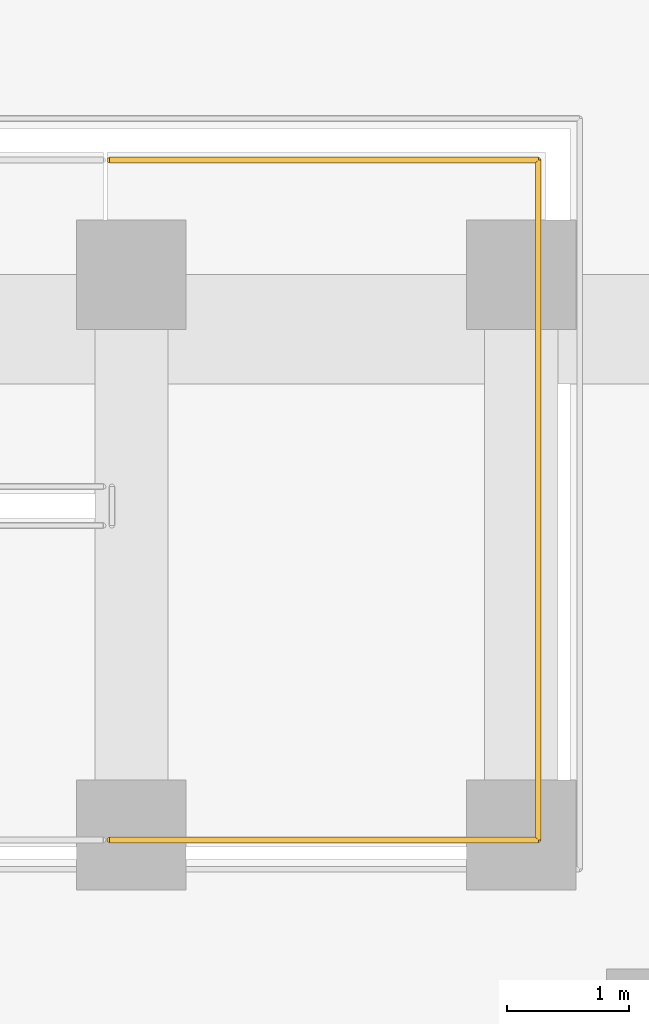
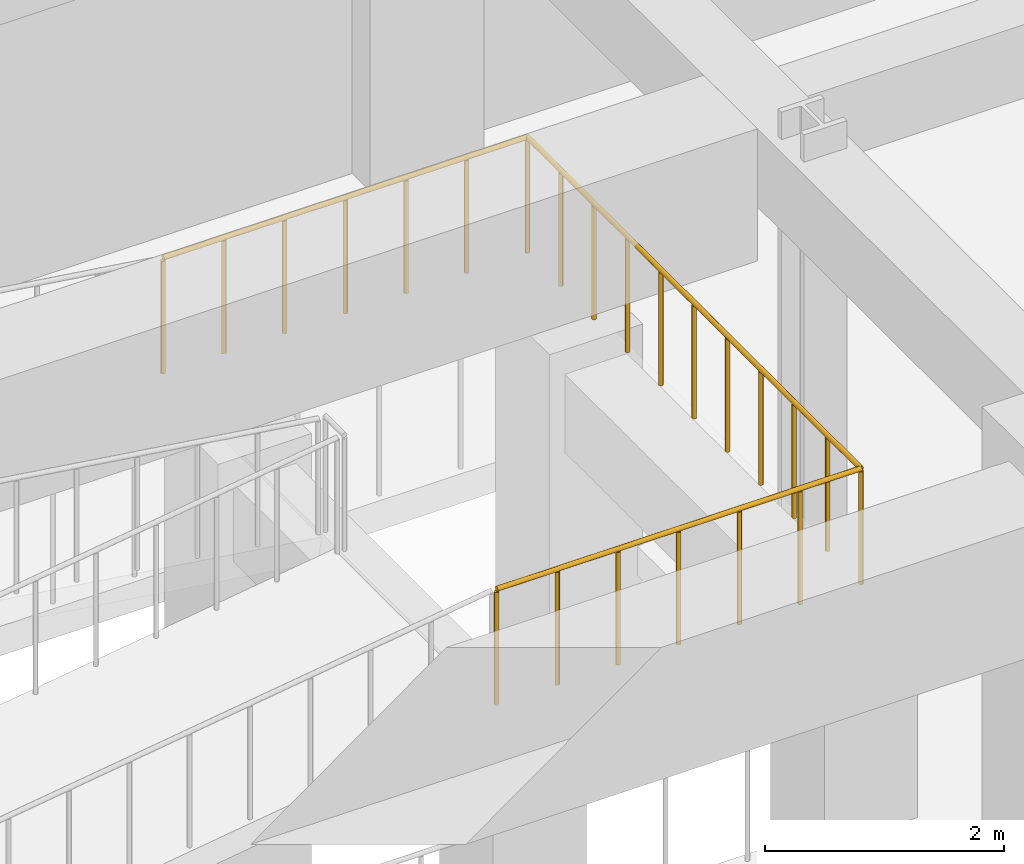
# One storey, part 15 of 16: 1 railing.
"""IFC4 building model written with IfcOpenShell, lengths in metres."""

import ifcopenshell
import ifcopenshell.guid

model = None  # the IFC model being written
_history = None  # IfcOwnerHistory: only IFC2X3 demands one
_inside = {}  # id of a spatial element -> (the spatial element, [elements in it])
_under = {}  # id of a project, library or spatial element -> (it, [spatial elements below it])
_declared = {}  # id of a project -> (the project, [libraries it declares])
_typed = {}  # id of a type object -> (the type object, [elements of that type])
_made_of = {}  # id of a material, layer set ... -> (it, [elements and type objects made of it])


def new_model(schema):
    """Start an empty IFC model of exactly this schema.

    Asked for "IFC4X3", IfcOpenShell would pick the latest addendum, in which some entities
    have other attributes; the version numbers below select the first issue.
    IFC2X3 requires an IfcOwnerHistory on every rooted entity: one is made here for all.
    """
    global model, _history
    if schema == "IFC4X3":
        model = ifcopenshell.file(schema_version=(4, 3, 0, 0))
    else:
        model = ifcopenshell.file(schema=schema)
    _inside.clear()
    _under.clear()
    _declared.clear()
    _typed.clear()
    _made_of.clear()
    _history = None
    if model.schema == "IFC2X3":
        org = make("IfcOrganization", Name="unknown")
        user = make(
            "IfcPersonAndOrganization",
            ThePerson=make("IfcPerson", FamilyName="unknown"),
            TheOrganization=org,
        )
        app = make(
            "IfcApplication",
            ApplicationDeveloper=org,
            Version="unknown",
            ApplicationFullName="unknown",
            ApplicationIdentifier="unknown",
        )
        _history = make(
            "IfcOwnerHistory",
            OwningUser=user,
            OwningApplication=app,
            ChangeAction="ADDED",
            CreationDate=0,
        )
    return model


def make(cls, **values):
    """One entity of the class cls with the attributes given. An attribute that is None is left unset."""
    return model.create_entity(
        cls, **{name: value for name, value in values.items() if value is not None}
    )


def rooted(cls, **values):
    """An entity with a GlobalId (a new one), such as an element, a storey or a relation."""
    return make(cls, GlobalId=ifcopenshell.guid.new(), OwnerHistory=_history, **values)


def si_unit(unit_type, name, prefix=None):
    """IfcSIUnit, for example si_unit("LENGTHUNIT", "METRE", prefix="MILLI")."""
    return make("IfcSIUnit", UnitType=unit_type, Prefix=prefix, Name=name)


def assignment(units):
    """IfcUnitAssignment: the units of a project."""
    return None if units is None else make("IfcUnitAssignment", Units=units)


def point(xyz):
    """IfcCartesianPoint."""
    return None if xyz is None else make("IfcCartesianPoint", Coordinates=xyz)


def direction(xyz):
    """IfcDirection."""
    return None if xyz is None else make("IfcDirection", DirectionRatios=xyz)


def frame(location, z_axis=None, x_axis=None):
    """IfcAxis2Placement3D, a coordinate frame: its origin and axes. An axis left out is left unset."""
    return make(
        "IfcAxis2Placement3D",
        Location=point(location),
        Axis=direction(z_axis),
        RefDirection=direction(x_axis),
    )


def frame_2d(location, x_axis=None):
    """IfcAxis2Placement2D, a coordinate frame in the plane: its origin and x axis."""
    return make(
        "IfcAxis2Placement2D", Location=point(location), RefDirection=direction(x_axis)
    )


def origin():
    """The frame at (0, 0, 0) with its axes left unset."""
    return frame((0.0, 0.0, 0.0))


def origin_2d():
    """The frame at (0, 0) in the plane with its x axis left unset."""
    return frame_2d((0.0, 0.0))


def place(relative_to, where):
    """IfcLocalPlacement: puts the frame where relative to a parent placement (None: the world)."""
    return make(
        "IfcLocalPlacement", PlacementRelTo=relative_to, RelativePlacement=where
    )


def context(
    kind, dimensions, precision=None, world=None, true_north=None, identifier=None
):
    """IfcGeometricRepresentationContext, for example the 3D "Model" context."""
    return make(
        "IfcGeometricRepresentationContext",
        ContextIdentifier=identifier,
        ContextType=kind,
        CoordinateSpaceDimension=dimensions,
        Precision=precision,
        WorldCoordinateSystem=world,
        TrueNorth=true_north,
    )


def subcontext(parent, identifier, kind, view, scale=None):
    """IfcGeometricRepresentationSubContext, for example "Body" below "Model"."""
    return make(
        "IfcGeometricRepresentationSubContext",
        ContextIdentifier=identifier,
        ContextType=kind,
        ParentContext=parent,
        TargetScale=scale,
        TargetView=view,
    )


def project(units=None, contexts=None):
    """IfcProject with its units and contexts."""
    return rooted(
        "IfcProject",
        Name="project",
        RepresentationContexts=contexts,
        UnitsInContext=assignment(units),
    )


def spatial(cls, under=None, at=None, **own):
    """A site, building, storey or space (cls), placed at a placement, below another one or the project."""
    s = rooted(cls, ObjectPlacement=at, **own)
    if under is not None:
        _under.setdefault(under.id(), (under, []))[1].append(s)
    return s


def profile(cls, at=None, kind="AREA", **sizes):
    """A parametric profile (cls). Its sizes go by their IFC names, for example OverallWidth=200.0."""
    return make(cls, ProfileType=kind, Position=at, **sizes)


def circle(**sizes):
    """IfcCircleProfileDef."""
    return profile("IfcCircleProfileDef", **sizes)


def extrude(swept, where, along, depth):
    """IfcExtrudedAreaSolid: the profile swept, set in the frame where, extruded along a direction by depth."""
    return make(
        "IfcExtrudedAreaSolid",
        SweptArea=swept,
        Position=where,
        ExtrudedDirection=direction(along),
        Depth=depth,
    )


def shape(context_of_items, identifier, shape_type, items):
    """IfcShapeRepresentation: the items that make up one representation, for example the "Body"."""
    return make(
        "IfcShapeRepresentation",
        ContextOfItems=context_of_items,
        RepresentationIdentifier=identifier,
        RepresentationType=shape_type,
        Items=items,
    )


def material(Name=None, Category=None):
    """IfcMaterial."""
    return make("IfcMaterial", Name=Name, Category=Category)


def made_of(thing, what):
    """Note that an element or type object is made of a material, layer set ...; save() writes the relation."""
    if what is not None:
        _made_of.setdefault(what.id(), (what, []))[1].append(thing)
    return thing


def type_object(cls, material=None, **own):
    """A type object (cls), such as IfcWallType, which elements share."""
    return made_of(rooted(cls, **own), material)


def element(
    cls,
    number,
    at=None,
    inside=None,
    cuts=None,
    type_object=None,
    material=None,
    context=None,
    identifier="Body",
    shape_type=None,
    held_by="IfcProductDefinitionShape",
    body=None,
    shapes=None,
    **own,
):
    """One element of the class cls, such as IfcWall. Its Tag is "e" and its number.

    at: its placement. inside: the storey or other place that contains it. cuts: it is an
    opening in that element (IfcRelVoidsElement). A single representation is given by context,
    identifier, shape_type and body (its items); several are given by shapes. held_by: the class
    of the entity that holds the representations. save() writes the other relations.
    """
    e = rooted(cls, Tag="e%d" % number, ObjectPlacement=at, **own)
    if body is not None:
        shapes = [shape(context, identifier, shape_type, body)]
    if shapes is not None:
        e.Representation = make(held_by, Representations=shapes)
    if inside is not None:
        _inside.setdefault(inside.id(), (inside, []))[1].append(e)
    if cuts is not None:
        rooted(
            "IfcRelVoidsElement", RelatingBuildingElement=cuts, RelatedOpeningElement=e
        )
    if type_object is not None:
        _typed.setdefault(type_object.id(), (type_object, []))[1].append(e)
    return made_of(e, material)


def aggregate(whole, parts):
    """IfcRelAggregates: a whole, such as a stair, and the parts it consists of."""
    return rooted("IfcRelAggregates", RelatingObject=whole, RelatedObjects=parts)


def save(model, path):
    """Write the relations noted so far, then the file.

    IfcRelAggregates (storeys below a building ...), IfcRelContainedInSpatialStructure (elements
    in a storey), IfcRelDefinesByType, IfcRelAssociatesMaterial and IfcRelDeclares: one each for
    every whole, place, type object, material and project.
    """
    for whole, parts in _under.values():
        aggregate(whole, parts)
    for where, things in _inside.values():
        rooted(
            "IfcRelContainedInSpatialStructure",
            RelatedElements=things,
            RelatingStructure=where,
        )
    for kind, things in _typed.values():
        rooted("IfcRelDefinesByType", RelatedObjects=things, RelatingType=kind)
    for what, things in _made_of.values():
        rooted("IfcRelAssociatesMaterial", RelatedObjects=things, RelatingMaterial=what)
    for by, libraries in _declared.values():
        rooted("IfcRelDeclares", RelatingContext=by, RelatedDefinitions=libraries)
    model.write(path)


model = new_model("IFC4")

# Units and contexts
model_context = context("Model", 3, precision=1e-05, world=origin(), true_north=direction((0.0, 1.0)))
body_context = subcontext(model_context, "Body", "Model", "MODEL_VIEW")
ifc_project = project(units=[si_unit("LENGTHUNIT", "METRE"), si_unit("AREAUNIT", "SQUARE_METRE"), si_unit("VOLUMEUNIT", "CUBIC_METRE"), si_unit("PLANEANGLEUNIT", "RADIAN"), si_unit("MASSUNIT", "GRAM", prefix="KILO")], contexts=[model_context])

# Site, building, storey
site_placement = place(None, origin())
site = spatial("IfcSite", under=ifc_project, at=site_placement, CompositionType="ELEMENT")
building_placement = place(site_placement, origin())
building = spatial("IfcBuilding", under=site, at=building_placement, Name="Kovane Verandah Tower", CompositionType="ELEMENT")
storey_placement = place(building_placement, frame((0.0, 0.0, -4.5)))
storey = spatial("IfcBuildingStorey", under=building, at=storey_placement, Name="B1", CompositionType="ELEMENT", Elevation=-4.5)

# Railing
ifc_material = material(Name="Pale-Champagne Stainless Steel and Glass Perimeter Guard", Category="steel")
railing_type = type_object("IfcRailingType", Name="RL-GDN-1200", PredefinedType="GUARDRAIL", material=ifc_material)
railing_placement = place(storey_placement, frame((46.02001953125, 46.159912109375, 2.25)))
element("IfcRailing", 1, at=railing_placement, inside=storey, type_object=railing_type, Name="B1 Vehicle Ramp Half-Turn Landing Guard", PredefinedType="GUARDRAIL", context=body_context, shape_type="SweptSolid", body=[
    extrude(circle(Radius=0.02392578125, at=origin_2d()), frame((0.0, 0.0, 1.17578125), z_axis=(1.0, 0.0, 0.0), x_axis=(0.0, 1.0, 0.0)), (0.0, 0.0, 1.0), 3.52001953125),
    extrude(circle(Radius=0.02392578125, at=origin_2d()), frame((3.52001953125, 0.0, 1.17578125), z_axis=(0.0, 1.0, 0.0), x_axis=(-1.0, 0.0, 0.0)), (0.0, 0.0, 1.0), 5.580078125),
    extrude(circle(Radius=0.02392578125, at=origin_2d()), frame((3.52001953125, 5.580078125, 1.17578125), z_axis=(-1.0, 0.0, 0.0), x_axis=(0.0, -1.0, 0.0)), (0.0, 0.0, 1.0), 3.52001953125),
    extrude(circle(Radius=0.02099609375, at=origin_2d()), origin(), (0.0, 0.0, 1.0), 1.15185546875),
    extrude(circle(Radius=0.02099609375, at=origin_2d()), frame((0.586669921875, 0.0, 0.0)), (0.0, 0.0, 1.0), 1.15185546875),
    extrude(circle(Radius=0.02099609375, at=origin_2d()), frame((1.17333984375, 0.0, 0.0)), (0.0, 0.0, 1.0), 1.15185546875),
    extrude(circle(Radius=0.02099609375, at=origin_2d()), frame((1.760009765625, 0.0, 0.0)), (0.0, 0.0, 1.0), 1.15185546875),
    extrude(circle(Radius=0.02099609375, at=origin_2d()), frame((2.3466796875, 0.0, 0.0)), (0.0, 0.0, 1.0), 1.15185546875),
    extrude(circle(Radius=0.02099609375, at=origin_2d()), frame((2.933349609375, 0.0, 0.0)), (0.0, 0.0, 1.0), 1.15185546875),
    extrude(circle(Radius=0.02099609375, at=origin_2d()), frame((3.52001953125, 0.0, 0.0)), (0.0, 0.0, 1.0), 1.15185546875),
    extrude(circle(Radius=0.02099609375, at=origin_2d()), frame((3.52001953125, 0.55810546875, 0.0)), (0.0, 0.0, 1.0), 1.15185546875),
    extrude(circle(Radius=0.02099609375, at=origin_2d()), frame((3.52001953125, 1.115966796875, 0.0)), (0.0, 0.0, 1.0), 1.15185546875),
    extrude(circle(Radius=0.02099609375, at=origin_2d()), frame((3.52001953125, 1.674072265625, 0.0)), (0.0, 0.0, 1.0), 1.15185546875),
    extrude(circle(Radius=0.02099609375, at=origin_2d()), frame((3.52001953125, 2.23193359375, 0.0)), (0.0, 0.0, 1.0), 1.15185546875),
    extrude(circle(Radius=0.02099609375, at=origin_2d()), frame((3.52001953125, 2.7900390625, 0.0)), (0.0, 0.0, 1.0), 1.15185546875),
    extrude(circle(Radius=0.02099609375, at=origin_2d()), frame((3.52001953125, 3.34814453125, 0.0)), (0.0, 0.0, 1.0), 1.15185546875),
    extrude(circle(Radius=0.02099609375, at=origin_2d()), frame((3.52001953125, 3.906005859375, 0.0)), (0.0, 0.0, 1.0), 1.15185546875),
    extrude(circle(Radius=0.02099609375, at=origin_2d()), frame((3.52001953125, 4.464111328125, 0.0)), (0.0, 0.0, 1.0), 1.15185546875),
    extrude(circle(Radius=0.02099609375, at=origin_2d()), frame((3.52001953125, 5.02197265625, 0.0)), (0.0, 0.0, 1.0), 1.15185546875),
    extrude(circle(Radius=0.02099609375, at=origin_2d()), frame((3.52001953125, 5.580078125, 0.0)), (0.0, 0.0, 1.0), 1.15185546875),
    extrude(circle(Radius=0.02099609375, at=origin_2d()), frame((2.933349609375, 5.580078125, 0.0)), (0.0, 0.0, 1.0), 1.15185546875),
    extrude(circle(Radius=0.02099609375, at=origin_2d()), frame((2.3466796875, 5.580078125, 0.0)), (0.0, 0.0, 1.0), 1.15185546875),
    extrude(circle(Radius=0.02099609375, at=origin_2d()), frame((1.760009765625, 5.580078125, 0.0)), (0.0, 0.0, 1.0), 1.15185546875),
    extrude(circle(Radius=0.02099609375, at=origin_2d()), frame((1.17333984375, 5.580078125, 0.0)), (0.0, 0.0, 1.0), 1.15185546875),
    extrude(circle(Radius=0.02099609375, at=origin_2d()), frame((0.586669921875, 5.580078125, 0.0)), (0.0, 0.0, 1.0), 1.15185546875),
    extrude(circle(Radius=0.02099609375, at=origin_2d()), frame((0.0, 5.580078125, 0.0)), (0.0, 0.0, 1.0), 1.15185546875),
])

save(model, "model.ifc")
